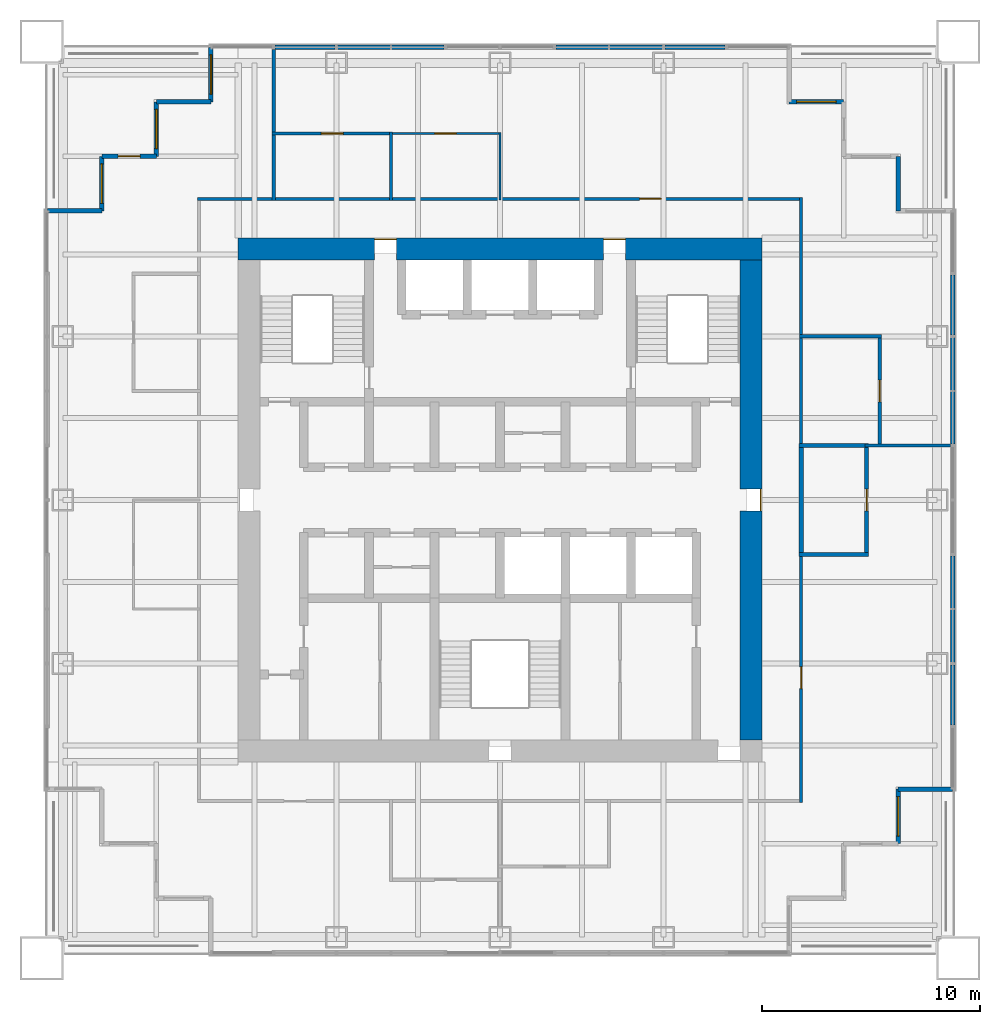
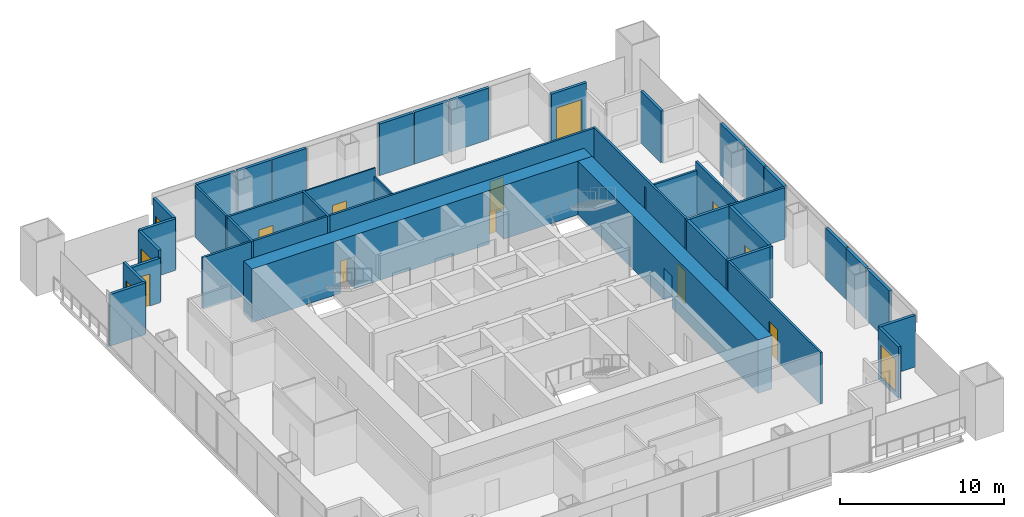
# One storey, part 11 of 14: 39 walls, 10 doors, 5 windows, 15 openings.
"""IFC4 building model written with IfcOpenShell, lengths in metres."""

from ifc_helpers import new_model, si_unit, direction, frame, frame_2d, origin, place, context, subcontext, project, spatial, rectangle, extrude, material, layer, layer_set, type_object, element, fill, save


model = new_model("IFC4")

# Units and contexts
model_context = context("Model", 3, precision=1e-05, world=origin(), true_north=direction((0.0, 1.0)))
body_context = subcontext(model_context, "Body", "Model", "MODEL_VIEW")
ifc_project = project(units=[si_unit("LENGTHUNIT", "METRE"), si_unit("AREAUNIT", "SQUARE_METRE"), si_unit("VOLUMEUNIT", "CUBIC_METRE"), si_unit("PLANEANGLEUNIT", "RADIAN"), si_unit("MASSUNIT", "GRAM", prefix="KILO")], contexts=[model_context])

# Site, building, storey
site_placement = place(None, origin())
site = spatial("IfcSite", under=ifc_project, at=site_placement, CompositionType="ELEMENT")
building_placement = place(site_placement, origin())
building = spatial("IfcBuilding", under=site, at=building_placement, Name="Tarangal Relay Tower", CompositionType="ELEMENT")
storey_placement = place(building_placement, frame((0.0, 0.0, 271.89990234375)))
storey = spatial("IfcBuildingStorey", under=building, at=storey_placement, Name="L59", CompositionType="ELEMENT", Elevation=271.89990234375)

# Walls
ifc_material_1 = material(Name="Two layers gypsum board each side on twin steel studs, mineral wool", Category="steel")
ifc_layer_1 = layer(ifc_material_1, 0.199951171875)
ifc_layer_set_1 = layer_set([ifc_layer_1], Name="Acoustic partition 200")
wall_type_1 = type_object("IfcWallType", Name="Acoustic partition 200", PredefinedType="PARTITIONING", material=ifc_layer_set_1)
for number, where, z_axis, x_axis, name in (
    (1, (13.699951171875, -2.5, 0.0), (0.0, 0.0, 1.0), (1.0, 0.0, 0.0), "Partition PT2 L59"),
    (2, (13.699951171875, 2.5, 0.0), (0.0, 0.0, 1.0), (1.0, 0.0, 0.0), "Partition PT2 L59"),
):
    element("IfcWall", number, at=place(storey_placement, frame(where, z_axis=z_axis, x_axis=x_axis)), inside=storey, type_object=wall_type_1, Name=name, PredefinedType="PARTITIONING", context=body_context, shape_type="SweptSolid", body=[
        extrude(rectangle(XDim=3.199951171875, YDim=0.199951171875, at=frame_2d((1.60009765625, 0.0))), origin(), (0.0, 0.0, 1.0), 3.85009765625),
    ])
wall_1_placement = place(storey_placement, frame((13.800048828125, -2.60009765625, 0.0), z_axis=(0.0, 0.0, 1.0), x_axis=(0.0, 1.0, 0.0)))
element("IfcWall", 3, at=wall_1_placement, inside=storey, type_object=wall_type_1, Name="Partition PT2 L59", PredefinedType="PARTITIONING", context=body_context, shape_type="SweptSolid", body=[
    extrude(rectangle(XDim=5.2001953125, YDim=0.199951171875, at=frame_2d((2.60009765625, 0.0))), origin(), (0.0, 0.0, 1.0), 3.85009765625),
])

# Wall, opening, door
wall_2_placement = place(storey_placement, frame((16.800048828125, -2.60009765625, 0.0), z_axis=(0.0, 0.0, 1.0), x_axis=(0.0, 1.0, 0.0)))
wall_2 = element("IfcWall", 4, at=wall_2_placement, inside=storey, type_object=wall_type_1, Name="Partition PT2 L59", PredefinedType="PARTITIONING", context=body_context, shape_type="SweptSolid", body=[
    extrude(rectangle(XDim=5.2001953125, YDim=0.199951171875, at=frame_2d((2.60009765625, 0.0))), origin(), (0.0, 0.0, 1.0), 3.85009765625),
])
opening_1_placement = place(wall_2_placement, frame((2.10009765625, 0.0, 0.0)))
opening_1 = element("IfcOpeningElement", 5, at=opening_1_placement, cuts=wall_2, Name="Opening D2", PredefinedType="OPENING", context=body_context, shape_type="SweptSolid", body=[
    extrude(rectangle(XDim=1.0, YDim=2.10009765625, at=frame_2d((0.5, 1.050048828125))), frame((0.0, 0.10986328125, 0.0), z_axis=(0.0, -1.0, 0.0), x_axis=(1.0, 0.0, 0.0)), (0.0, 0.0, 1.0), 0.219970703125),
])
ifc_material_2 = material(Name="Hardwood door", Category="wood")
door_type_1 = type_object("IfcDoorType", Name="Door 1000 x 2100", OperationType="SINGLE_SWING_LEFT", PredefinedType="DOOR", material=ifc_material_2)
door_1_placement = place(opening_1_placement, origin())
door_1 = element("IfcDoor", 6, at=door_1_placement, inside=storey, type_object=door_type_1, Name="Door D2 to meeting room L59-05", OperationType="SINGLE_SWING_LEFT", OverallHeight=2.10009765625, OverallWidth=1.0, PredefinedType="DOOR", context=body_context, shape_type="SweptSolid", body=[
    extrude(rectangle(XDim=1.0, YDim=2.10009765625, at=frame_2d((0.5, 1.050048828125))), frame((0.0, 0.02490234375, 0.0), z_axis=(0.0, -1.0, 0.0), x_axis=(1.0, 0.0, 0.0)), (0.0, 0.0, 1.0), 0.050048828125),
])
fill(opening_1, door_1)

# Wall, openings, doors
ifc_material_3 = material(Name="Concrete fc' 60 MPa", Category="concrete")
ifc_layer_2 = layer(ifc_material_3, 1.0)
ifc_layer_set_2 = layer_set([ifc_layer_2], Name="Core wall 1000")
wall_type_2 = type_object("IfcWallType", Name="Core wall 1000", PredefinedType="SHEAR", material=ifc_layer_set_2)
wall_3_placement = place(storey_placement, frame((-12.0, 11.5, 0.0), z_axis=(0.0, 0.0, 1.0), x_axis=(1.0, 0.0, 0.0)))
wall_3 = element("IfcWall", 7, at=wall_3_placement, inside=storey, type_object=wall_type_2, Name="Core wall N L59", PredefinedType="SHEAR", context=body_context, shape_type="SweptSolid", body=[
    extrude(rectangle(XDim=24.0, YDim=1.0, at=frame_2d((12.0, 0.0))), origin(), (0.0, 0.0, 1.0), 4.0),
])
opening_2_placement = place(wall_3_placement, frame((6.25, 0.0, 0.0)))
opening_2 = element("IfcOpeningElement", 8, at=opening_2_placement, cuts=wall_3, Name="Opening FD3", PredefinedType="OPENING", context=body_context, shape_type="SweptSolid", body=[
    extrude(rectangle(XDim=1.0, YDim=2.39990234375, at=frame_2d((0.5, 1.199951171875))), frame((0.0, 0.510009765625, 0.0), z_axis=(0.0, -1.0, 0.0), x_axis=(1.0, 0.0, 0.0)), (0.0, 0.0, 1.0), 1.02001953125),
])
opening_3_placement = place(wall_3_placement, frame((16.75, 0.0, 0.0)))
opening_3 = element("IfcOpeningElement", 9, at=opening_3_placement, cuts=wall_3, Name="Opening FD3", PredefinedType="OPENING", context=body_context, shape_type="SweptSolid", body=[
    extrude(rectangle(XDim=1.0, YDim=2.39990234375, at=frame_2d((0.5, 1.199951171875))), frame((0.0, 0.510009765625, 0.0), z_axis=(0.0, -1.0, 0.0), x_axis=(1.0, 0.0, 0.0)), (0.0, 0.0, 1.0), 1.02001953125),
])
ifc_material_4 = material(Name="Steel door with hardwood frame", Category="steel")
door_type_2 = type_object("IfcDoorType", Name="Fire door 1000 x 2400 core entry", OperationType="SINGLE_SWING_RIGHT", PredefinedType="DOOR", material=ifc_material_4)
door_2_placement = place(opening_2_placement, origin())
door_2 = element("IfcDoor", 10, at=door_2_placement, inside=storey, type_object=door_type_2, Name="Core entry door north west L59", OperationType="SINGLE_SWING_RIGHT", OverallHeight=2.39990234375, OverallWidth=1.0, PredefinedType="DOOR", context=body_context, shape_type="SweptSolid", body=[
    extrude(rectangle(XDim=1.0, YDim=2.39990234375, at=frame_2d((0.5, 1.199951171875))), frame((0.0, 0.48486328125, 0.0), z_axis=(0.0, -1.0, 0.0), x_axis=(1.0, 0.0, 0.0)), (0.0, 0.0, 1.0), 0.050048828125),
])
fill(opening_2, door_2)
door_3_placement = place(opening_3_placement, origin())
door_3 = element("IfcDoor", 11, at=door_3_placement, inside=storey, type_object=door_type_2, Name="Core entry door north east L59", OperationType="SINGLE_SWING_RIGHT", OverallHeight=2.39990234375, OverallWidth=1.0, PredefinedType="DOOR", context=body_context, shape_type="SweptSolid", body=[
    extrude(rectangle(XDim=1.0, YDim=2.39990234375, at=frame_2d((0.5, 1.199951171875))), frame((0.0, 0.48486328125, 0.0), z_axis=(0.0, -1.0, 0.0), x_axis=(1.0, 0.0, 0.0)), (0.0, 0.0, 1.0), 0.050048828125),
])
fill(opening_3, door_3)

# Wall, opening, door
wall_4_placement = place(storey_placement, frame((11.5, 11.0, 0.0), z_axis=(0.0, 0.0, 1.0), x_axis=(0.0, -1.0, 0.0)))
wall_4 = element("IfcWall", 12, at=wall_4_placement, inside=storey, type_object=wall_type_2, Name="Core wall E L59", PredefinedType="SHEAR", context=body_context, shape_type="SweptSolid", body=[
    extrude(rectangle(XDim=22.0, YDim=1.0, at=frame_2d((11.0, 0.0))), origin(), (0.0, 0.0, 1.0), 4.0),
])
opening_4_placement = place(wall_4_placement, frame((10.5, 0.0, 0.0)))
opening_4 = element("IfcOpeningElement", 13, at=opening_4_placement, cuts=wall_4, Name="Opening FD3", PredefinedType="OPENING", context=body_context, shape_type="SweptSolid", body=[
    extrude(rectangle(XDim=1.0, YDim=2.39990234375, at=frame_2d((0.5, 1.199951171875))), frame((0.0, 0.510009765625, 0.0), z_axis=(0.0, -1.0, 0.0), x_axis=(1.0, 0.0, 0.0)), (0.0, 0.0, 1.0), 1.02001953125),
])
door_4_placement = place(opening_4_placement, origin())
door_4 = element("IfcDoor", 14, at=door_4_placement, inside=storey, type_object=door_type_2, Name="Core entry door east L59", OperationType="SINGLE_SWING_RIGHT", OverallHeight=2.39990234375, OverallWidth=1.0, PredefinedType="DOOR", context=body_context, shape_type="SweptSolid", body=[
    extrude(rectangle(XDim=1.0, YDim=2.39990234375, at=frame_2d((0.5, 1.199951171875))), frame((0.0, 0.48486328125, 0.0), z_axis=(0.0, -1.0, 0.0), x_axis=(1.0, 0.0, 0.0)), (0.0, 0.0, 1.0), 0.050048828125),
])
fill(opening_4, door_4)

# Wall, opening, window
ifc_material_5 = material(Name="Black metal clad insulated wall", Category="steel")
ifc_layer_3 = layer(ifc_material_5, 0.199951171875)
ifc_layer_set_3 = layer_set([ifc_layer_3], Name="Corner wall metal clad 200")
wall_type_3 = type_object("IfcWallType", Name="Corner wall metal clad 200", PredefinedType="SOLIDWALL", material=ifc_layer_set_3)
wall_5_placement = place(storey_placement, frame((13.25, 18.25, 0.0), z_axis=(0.0, 0.0, 1.0), x_axis=(1.0, 0.0, 0.0)))
wall_5 = element("IfcWall", 15, at=wall_5_placement, inside=storey, type_object=wall_type_3, Name="Facade wall N facade L59", PredefinedType="SOLIDWALL", context=body_context, shape_type="SweptSolid", body=[
    extrude(rectangle(XDim=2.5, YDim=0.199951171875, at=frame_2d((1.25, 0.0))), origin(), (0.0, 0.0, 1.0), 3.85009765625),
])
opening_5_placement = place(wall_5_placement, frame((0.35009765625, 0.0, 0.300048828125)))
opening_5 = element("IfcOpeningElement", 16, at=opening_5_placement, cuts=wall_5, Name="Opening WN2", PredefinedType="OPENING", context=body_context, shape_type="SweptSolid", body=[
    extrude(rectangle(XDim=1.800048828125, YDim=2.39990234375, at=frame_2d((0.89990234375, 1.199951171875))), frame((0.0, 0.10986328125, 0.0), z_axis=(0.0, -1.0, 0.0), x_axis=(1.0, 0.0, 0.0)), (0.0, 0.0, 1.0), 0.219970703125),
])
ifc_material_6 = material(Name="Dark tinted double glazing in black aluminium frame", Category="aluminium")
window_type = type_object("IfcWindowType", Name="Corner window 1800 x 2400", PartitioningType="SINGLE_PANEL", PredefinedType="WINDOW", material=ifc_material_6)
window_1_placement = place(opening_5_placement, origin())
window_1 = element("IfcWindow", 17, at=window_1_placement, inside=storey, type_object=window_type, Name="Corner window WN2 N facade L59", OverallHeight=2.39990234375, OverallWidth=1.800048828125, PartitioningType="SINGLE_PANEL", PredefinedType="WINDOW", context=body_context, shape_type="SweptSolid", body=[
    extrude(rectangle(XDim=1.800048828125, YDim=2.39990234375, at=frame_2d((0.89990234375, 1.199951171875))), frame((0.0, 0.030029296875, 0.0), z_axis=(0.0, -1.0, 0.0), x_axis=(1.0, 0.0, 0.0)), (0.0, 0.0, 1.0), 0.06005859375),
])
fill(opening_5, window_1)

# Walls
for number, where, z_axis, x_axis, name in (
    (18, (18.25, 15.75, 0.0), (0.0, 0.0, 1.0), (0.0, -1.0, 0.0), "Facade wall N facade L59"),
    (19, (20.75, -13.25, 0.0), (0.0, 0.0, 1.0), (-1.0, 0.0, 0.0), "Facade wall E facade L59"),
):
    element("IfcWall", number, at=place(storey_placement, frame(where, z_axis=z_axis, x_axis=x_axis)), inside=storey, type_object=wall_type_3, Name=name, PredefinedType="SOLIDWALL", context=body_context, shape_type="SweptSolid", body=[
        extrude(rectangle(XDim=2.5, YDim=0.199951171875, at=frame_2d((1.25, 0.0))), origin(), (0.0, 0.0, 1.0), 3.85009765625),
    ])

# Wall, opening, window
wall_6_placement = place(storey_placement, frame((18.25, -13.25, 0.0), z_axis=(0.0, 0.0, 1.0), x_axis=(0.0, -1.0, 0.0)))
wall_6 = element("IfcWall", 20, at=wall_6_placement, inside=storey, type_object=wall_type_3, Name="Facade wall E facade L59", PredefinedType="SOLIDWALL", context=body_context, shape_type="SweptSolid", body=[
    extrude(rectangle(XDim=2.5, YDim=0.199951171875, at=frame_2d((1.25, 0.0))), origin(), (0.0, 0.0, 1.0), 3.85009765625),
])
opening_6_placement = place(wall_6_placement, frame((0.35009765625, 0.0, 0.300048828125)))
opening_6 = element("IfcOpeningElement", 21, at=opening_6_placement, cuts=wall_6, Name="Opening WN2", PredefinedType="OPENING", context=body_context, shape_type="SweptSolid", body=[
    extrude(rectangle(XDim=1.800048828125, YDim=2.39990234375, at=frame_2d((0.89990234375, 1.199951171875))), frame((0.0, 0.10986328125, 0.0), z_axis=(0.0, -1.0, 0.0), x_axis=(1.0, 0.0, 0.0)), (0.0, 0.0, 1.0), 0.219970703125),
])
window_2_placement = place(opening_6_placement, origin())
window_2 = element("IfcWindow", 22, at=window_2_placement, inside=storey, type_object=window_type, Name="Corner window WN2 E facade L59", OverallHeight=2.39990234375, OverallWidth=1.800048828125, PartitioningType="SINGLE_PANEL", PredefinedType="WINDOW", context=body_context, shape_type="SweptSolid", body=[
    extrude(rectangle(XDim=1.800048828125, YDim=2.39990234375, at=frame_2d((0.89990234375, 1.199951171875))), frame((0.0, 0.030029296875, 0.0), z_axis=(0.0, -1.0, 0.0), x_axis=(1.0, 0.0, 0.0)), (0.0, 0.0, 1.0), 0.06005859375),
])
fill(opening_6, window_2)

# Wall
wall_7_placement = place(storey_placement, frame((-20.75, 13.25, 0.0), z_axis=(0.0, 0.0, 1.0), x_axis=(1.0, 0.0, 0.0)))
element("IfcWall", 23, at=wall_7_placement, inside=storey, type_object=wall_type_3, Name="Facade wall W facade L59", PredefinedType="SOLIDWALL", context=body_context, shape_type="SweptSolid", body=[
    extrude(rectangle(XDim=2.5, YDim=0.199951171875, at=frame_2d((1.25, 0.0))), origin(), (0.0, 0.0, 1.0), 3.85009765625),
])

# Wall, opening, window
wall_8_placement = place(storey_placement, frame((-18.25, 13.25, 0.0), z_axis=(0.0, 0.0, 1.0), x_axis=(0.0, 1.0, 0.0)))
wall_8 = element("IfcWall", 24, at=wall_8_placement, inside=storey, type_object=wall_type_3, Name="Facade wall W facade L59", PredefinedType="SOLIDWALL", context=body_context, shape_type="SweptSolid", body=[
    extrude(rectangle(XDim=2.5, YDim=0.199951171875, at=frame_2d((1.25, 0.0))), origin(), (0.0, 0.0, 1.0), 3.85009765625),
])
opening_7_placement = place(wall_8_placement, frame((0.35009765625, 0.0, 0.300048828125)))
opening_7 = element("IfcOpeningElement", 25, at=opening_7_placement, cuts=wall_8, Name="Opening WN2", PredefinedType="OPENING", context=body_context, shape_type="SweptSolid", body=[
    extrude(rectangle(XDim=1.800048828125, YDim=2.39990234375, at=frame_2d((0.89990234375, 1.199951171875))), frame((0.0, 0.10986328125, 0.0), z_axis=(0.0, -1.0, 0.0), x_axis=(1.0, 0.0, 0.0)), (0.0, 0.0, 1.0), 0.219970703125),
])
window_3_placement = place(opening_7_placement, origin())
window_3 = element("IfcWindow", 26, at=window_3_placement, inside=storey, type_object=window_type, Name="Corner window WN2 W facade L59", OverallHeight=2.39990234375, OverallWidth=1.800048828125, PartitioningType="SINGLE_PANEL", PredefinedType="WINDOW", context=body_context, shape_type="SweptSolid", body=[
    extrude(rectangle(XDim=1.800048828125, YDim=2.39990234375, at=frame_2d((0.89990234375, 1.199951171875))), frame((0.0, 0.030029296875, 0.0), z_axis=(0.0, -1.0, 0.0), x_axis=(1.0, 0.0, 0.0)), (0.0, 0.0, 1.0), 0.06005859375),
])
fill(opening_7, window_3)

# Wall, opening, door
wall_9_placement = place(storey_placement, frame((-18.25, 15.75, 0.0), z_axis=(0.0, 0.0, 1.0), x_axis=(1.0, 0.0, 0.0)))
wall_9 = element("IfcWall", 27, at=wall_9_placement, inside=storey, type_object=wall_type_3, Name="Facade wall W facade L59", PredefinedType="SOLIDWALL", context=body_context, shape_type="SweptSolid", body=[
    extrude(rectangle(XDim=2.5, YDim=0.199951171875, at=frame_2d((1.25, 0.0))), origin(), (0.0, 0.0, 1.0), 3.316650390625),
])
opening_8_placement = place(wall_9_placement, frame((0.75, 0.0, 0.0)))
opening_8 = element("IfcOpeningElement", 28, at=opening_8_placement, cuts=wall_9, Name="Opening TD1", PredefinedType="OPENING", context=body_context, shape_type="SweptSolid", body=[
    extrude(rectangle(XDim=1.0, YDim=2.39990234375, at=frame_2d((0.5, 1.199951171875))), frame((0.0, 0.10986328125, 0.0), z_axis=(0.0, -1.0, 0.0), x_axis=(1.0, 0.0, 0.0)), (0.0, 0.0, 1.0), 0.219970703125),
])
ifc_material_7 = material(Name="Aluminium glazed door", Category="aluminium")
door_type_3 = type_object("IfcDoorType", Name="Terrace door 1000 x 2400", OperationType="SINGLE_SWING_RIGHT", PredefinedType="DOOR", material=ifc_material_7)
door_5_placement = place(opening_8_placement, origin())
door_5 = element("IfcDoor", 29, at=door_5_placement, inside=storey, type_object=door_type_3, Name="Terrace door TD1 NW L59", OperationType="SINGLE_SWING_RIGHT", OverallHeight=2.39990234375, OverallWidth=1.0, PredefinedType="DOOR", context=body_context, shape_type="SweptSolid", body=[
    extrude(rectangle(XDim=1.0, YDim=2.39990234375, at=frame_2d((0.5, 1.199951171875))), frame((0.0, 0.02490234375, 0.0), z_axis=(0.0, -1.0, 0.0), x_axis=(1.0, 0.0, 0.0)), (0.0, 0.0, 1.0), 0.050048828125),
])
fill(opening_8, door_5)

# Wall, opening, window
wall_10_placement = place(storey_placement, frame((-15.75, 15.75, 0.0), z_axis=(0.0, 0.0, 1.0), x_axis=(0.0, 1.0, 0.0)))
wall_10 = element("IfcWall", 30, at=wall_10_placement, inside=storey, type_object=wall_type_3, Name="Facade wall W facade L59", PredefinedType="SOLIDWALL", context=body_context, shape_type="SweptSolid", body=[
    extrude(rectangle(XDim=2.5, YDim=0.199951171875, at=frame_2d((1.25, 0.0))), origin(), (0.0, 0.0, 1.0), 3.85009765625),
])
opening_9_placement = place(wall_10_placement, frame((0.35009765625, 0.0, 0.300048828125)))
opening_9 = element("IfcOpeningElement", 31, at=opening_9_placement, cuts=wall_10, Name="Opening WN2", PredefinedType="OPENING", context=body_context, shape_type="SweptSolid", body=[
    extrude(rectangle(XDim=1.800048828125, YDim=2.39990234375, at=frame_2d((0.89990234375, 1.199951171875))), frame((0.0, 0.10986328125, 0.0), z_axis=(0.0, -1.0, 0.0), x_axis=(1.0, 0.0, 0.0)), (0.0, 0.0, 1.0), 0.219970703125),
])
window_4_placement = place(opening_9_placement, origin())
window_4 = element("IfcWindow", 32, at=window_4_placement, inside=storey, type_object=window_type, Name="Corner window WN2 W facade L59", OverallHeight=2.39990234375, OverallWidth=1.800048828125, PartitioningType="SINGLE_PANEL", PredefinedType="WINDOW", context=body_context, shape_type="SweptSolid", body=[
    extrude(rectangle(XDim=1.800048828125, YDim=2.39990234375, at=frame_2d((0.89990234375, 1.199951171875))), frame((0.0, 0.030029296875, 0.0), z_axis=(0.0, -1.0, 0.0), x_axis=(1.0, 0.0, 0.0)), (0.0, 0.0, 1.0), 0.06005859375),
])
fill(opening_9, window_4)

# Wall
wall_11_placement = place(storey_placement, frame((-15.75, 18.25, 0.0), z_axis=(0.0, 0.0, 1.0), x_axis=(1.0, 0.0, 0.0)))
element("IfcWall", 33, at=wall_11_placement, inside=storey, type_object=wall_type_3, Name="Facade wall W facade L59", PredefinedType="SOLIDWALL", context=body_context, shape_type="SweptSolid", body=[
    extrude(rectangle(XDim=2.5, YDim=0.199951171875, at=frame_2d((1.25, 0.0))), origin(), (0.0, 0.0, 1.0), 3.85009765625),
])

# Wall, opening, window
wall_12_placement = place(storey_placement, frame((-13.25, 18.25, 0.0), z_axis=(0.0, 0.0, 1.0), x_axis=(0.0, 1.0, 0.0)))
wall_12 = element("IfcWall", 34, at=wall_12_placement, inside=storey, type_object=wall_type_3, Name="Facade wall W facade L59", PredefinedType="SOLIDWALL", context=body_context, shape_type="SweptSolid", body=[
    extrude(rectangle(XDim=2.5, YDim=0.199951171875, at=frame_2d((1.25, 0.0))), origin(), (0.0, 0.0, 1.0), 3.85009765625),
])
opening_10_placement = place(wall_12_placement, frame((0.35009765625, 0.0, 0.300048828125)))
opening_10 = element("IfcOpeningElement", 35, at=opening_10_placement, cuts=wall_12, Name="Opening WN2", PredefinedType="OPENING", context=body_context, shape_type="SweptSolid", body=[
    extrude(rectangle(XDim=1.800048828125, YDim=2.39990234375, at=frame_2d((0.89990234375, 1.199951171875))), frame((0.0, 0.10986328125, 0.0), z_axis=(0.0, -1.0, 0.0), x_axis=(1.0, 0.0, 0.0)), (0.0, 0.0, 1.0), 0.219970703125),
])
window_5_placement = place(opening_10_placement, origin())
window_5 = element("IfcWindow", 36, at=window_5_placement, inside=storey, type_object=window_type, Name="Corner window WN2 W facade L59", OverallHeight=2.39990234375, OverallWidth=1.800048828125, PartitioningType="SINGLE_PANEL", PredefinedType="WINDOW", context=body_context, shape_type="SweptSolid", body=[
    extrude(rectangle(XDim=1.800048828125, YDim=2.39990234375, at=frame_2d((0.89990234375, 1.199951171875))), frame((0.0, 0.030029296875, 0.0), z_axis=(0.0, -1.0, 0.0), x_axis=(1.0, 0.0, 0.0)), (0.0, 0.0, 1.0), 0.06005859375),
])
fill(opening_10, window_5)

# Walls
ifc_layer_4 = layer(ifc_material_5, 0.199951171875)
ifc_layer_set_4 = layer_set([ifc_layer_4], Name="Facade infill wall metal clad 200")
wall_type_4 = type_object("IfcWallType", Name="Facade infill wall metal clad 200", PredefinedType="SOLIDWALL", material=ifc_layer_set_4)
wall_13_placement = place(storey_placement, frame((-10.31494140625, 20.75, 0.0), z_axis=(0.0, 0.0, 1.0), x_axis=(1.0, 0.0, 0.0)))
element("IfcWall", 37, at=wall_13_placement, inside=storey, type_object=wall_type_4, Name="Facade infill wall N facade L59 1.1", PredefinedType="SOLIDWALL", context=body_context, shape_type="SweptSolid", body=[
    extrude(rectangle(XDim=2.7548828125, YDim=0.199951171875, at=frame_2d((1.37744140625, 0.0))), origin(), (0.0, 0.0, 1.0), 3.85009765625),
])
for number, where, z_axis, x_axis, name in (
    (38, (-7.43994140625, 20.75, 0.0), (0.0, 0.0, 1.0), (1.0, 0.0, 0.0), "Facade infill wall N facade L59 1.1"),
    (39, (-4.969970703125, 20.75, 0.0), (0.0, 0.0, 1.0), (1.0, 0.0, 0.0), "Facade infill wall N facade L59 2.1"),
    (40, (2.56005859375, 20.75, 0.0), (0.0, 0.0, 1.0), (1.0, 0.0, 0.0), "Facade infill wall N facade L59 1.1"),
    (41, (5.030029296875, 20.75, 0.0), (0.0, 0.0, 1.0), (1.0, 0.0, 0.0), "Facade infill wall N facade L59 2.1"),
):
    element("IfcWall", number, at=place(storey_placement, frame(where, z_axis=z_axis, x_axis=x_axis)), inside=storey, type_object=wall_type_4, Name=name, PredefinedType="SOLIDWALL", context=body_context, shape_type="SweptSolid", body=[
        extrude(rectangle(XDim=2.409912109375, YDim=0.199951171875, at=frame_2d((1.205078125, 0.0))), origin(), (0.0, 0.0, 1.0), 3.85009765625),
    ])
for number, where, z_axis, x_axis, name in (
    (42, (7.56005859375, 20.75, 0.0), (0.0, 0.0, 1.0), (1.0, 0.0, 0.0), "Facade infill wall N facade L59 1.1"),
    (43, (20.75, 10.31494140625, 0.0), (0.0, 0.0, 1.0), (0.0, -1.0, 0.0), "Facade infill wall E facade L59 1.1"),
):
    element("IfcWall", number, at=place(storey_placement, frame(where, z_axis=z_axis, x_axis=x_axis)), inside=storey, type_object=wall_type_4, Name=name, PredefinedType="SOLIDWALL", context=body_context, shape_type="SweptSolid", body=[
        extrude(rectangle(XDim=2.7548828125, YDim=0.199951171875, at=frame_2d((1.37744140625, 0.0))), origin(), (0.0, 0.0, 1.0), 3.85009765625),
    ])
for number, where, z_axis, x_axis, name in (
    (44, (20.75, 7.43994140625, 0.0), (0.0, 0.0, 1.0), (0.0, -1.0, 0.0), "Facade infill wall E facade L59 1.1"),
    (45, (20.75, 4.969970703125, 0.0), (0.0, 0.0, 1.0), (0.0, -1.0, 0.0), "Facade infill wall E facade L59 2.1"),
    (46, (20.75, -2.56005859375, 0.0), (0.0, 0.0, 1.0), (0.0, -1.0, 0.0), "Facade infill wall E facade L59 1.1"),
    (47, (20.75, -5.030029296875, 0.0), (0.0, 0.0, 1.0), (0.0, -1.0, 0.0), "Facade infill wall E facade L59 2.1"),
):
    element("IfcWall", number, at=place(storey_placement, frame(where, z_axis=z_axis, x_axis=x_axis)), inside=storey, type_object=wall_type_4, Name=name, PredefinedType="SOLIDWALL", context=body_context, shape_type="SweptSolid", body=[
        extrude(rectangle(XDim=2.409912109375, YDim=0.199951171875, at=frame_2d((1.205078125, 0.0))), origin(), (0.0, 0.0, 1.0), 3.85009765625),
    ])
wall_14_placement = place(storey_placement, frame((20.75, -7.56005859375, 0.0), z_axis=(0.0, 0.0, 1.0), x_axis=(0.0, -1.0, 0.0)))
element("IfcWall", 48, at=wall_14_placement, inside=storey, type_object=wall_type_4, Name="Facade infill wall E facade L59 1.1", PredefinedType="SOLIDWALL", context=body_context, shape_type="SweptSolid", body=[
    extrude(rectangle(XDim=2.7548828125, YDim=0.199951171875, at=frame_2d((1.37744140625, 0.0))), origin(), (0.0, 0.0, 1.0), 3.85009765625),
])

# Wall, opening, door
ifc_material_8 = material(Name="Double glazed aluminium framed partition", Category="aluminium")
ifc_layer_5 = layer(ifc_material_8, 0.10009765625)
ifc_layer_set_5 = layer_set([ifc_layer_5], Name="Glazed partition 100")
wall_type_5 = type_object("IfcWallType", Name="Glazed partition 100", PredefinedType="PARTITIONING", material=ifc_layer_set_5)
wall_15_placement = place(storey_placement, frame((-5.050048828125, 16.800048828125, 0.0), z_axis=(0.0, 0.0, 1.0), x_axis=(1.0, 0.0, 0.0)))
wall_15 = element("IfcWall", 49, at=wall_15_placement, inside=storey, type_object=wall_type_5, Name="Partition PT3 L59", PredefinedType="PARTITIONING", context=body_context, shape_type="SweptSolid", body=[
    extrude(rectangle(XDim=5.10009765625, YDim=0.10009765625, at=frame_2d((2.550048828125, 0.0))), origin(), (0.0, 0.0, 1.0), 3.85009765625),
])
opening_11_placement = place(wall_15_placement, frame((2.050048828125, 0.0, 0.0)))
opening_11 = element("IfcOpeningElement", 50, at=opening_11_placement, cuts=wall_15, Name="Opening D3", PredefinedType="OPENING", context=body_context, shape_type="SweptSolid", body=[
    extrude(rectangle(XDim=1.0, YDim=2.10009765625, at=frame_2d((0.5, 1.050048828125))), frame((0.0, 0.06005859375, 0.0), z_axis=(0.0, -1.0, 0.0), x_axis=(1.0, 0.0, 0.0)), (0.0, 0.0, 1.0), 0.1201171875),
])
ifc_material_9 = material(Name="Frameless glass door", Category="glass")
door_type_4 = type_object("IfcDoorType", Name="Glazed door 1000 x 2100", OperationType="SINGLE_SWING_LEFT", PredefinedType="DOOR", material=ifc_material_9)
door_6_placement = place(opening_11_placement, origin())
door_6 = element("IfcDoor", 51, at=door_6_placement, inside=storey, type_object=door_type_4, Name="Door D3 to meeting room L59-03", OperationType="SINGLE_SWING_LEFT", OverallHeight=2.10009765625, OverallWidth=1.0, PredefinedType="DOOR", context=body_context, shape_type="SweptSolid", body=[
    extrude(rectangle(XDim=1.0, YDim=2.10009765625, at=frame_2d((0.5, 1.050048828125))), frame((0.0, 0.02490234375, 0.0), z_axis=(0.0, -1.0, 0.0), x_axis=(1.0, 0.0, 0.0)), (0.0, 0.0, 1.0), 0.050048828125),
])
fill(opening_11, door_6)

# Walls
wall_16_placement = place(storey_placement, frame((0.0, 13.75, 0.0), z_axis=(0.0, 0.0, 1.0), x_axis=(0.0, 1.0, 0.0)))
element("IfcWall", 52, at=wall_16_placement, inside=storey, type_object=wall_type_5, Name="Partition PT3 L59", PredefinedType="PARTITIONING", context=body_context, shape_type="SweptSolid", body=[
    extrude(rectangle(XDim=3.10009765625, YDim=0.10009765625, at=frame_2d((1.550048828125, 0.0))), origin(), (0.0, 0.0, 1.0), 3.2431640625),
])
ifc_material_10 = material(Name="Gypsum board on steel studs", Category="steel")
ifc_layer_6 = layer(ifc_material_10, 0.14990234375)
ifc_layer_set_6 = layer_set([ifc_layer_6], Name="Partition 150")
wall_type_6 = type_object("IfcWallType", Name="Partition 150", PredefinedType="PARTITIONING", material=ifc_layer_set_6)
wall_17_placement = place(storey_placement, frame((16.72509765625, 2.5, 0.0), z_axis=(0.0, 0.0, 1.0), x_axis=(1.0, 0.0, 0.0)))
element("IfcWall", 53, at=wall_17_placement, inside=storey, type_object=wall_type_6, Name="Partition PT1 L59", PredefinedType="PARTITIONING", context=body_context, shape_type="SweptSolid", body=[
    extrude(rectangle(XDim=3.9248046875, YDim=0.14990234375, at=frame_2d((1.96240234375, 0.0))), origin(), (0.0, 0.0, 1.0), 3.85009765625),
])
wall_18_placement = place(storey_placement, frame((13.72509765625, 7.5, 0.0), z_axis=(0.0, 0.0, 1.0), x_axis=(1.0, 0.0, 0.0)))
element("IfcWall", 54, at=wall_18_placement, inside=storey, type_object=wall_type_6, Name="Partition PT1 L59", PredefinedType="PARTITIONING", context=body_context, shape_type="SweptSolid", body=[
    extrude(rectangle(XDim=3.75, YDim=0.14990234375, at=frame_2d((1.875, 0.0))), origin(), (0.0, 0.0, 1.0), 3.2431640625),
])

# Wall, opening, door
wall_19_placement = place(storey_placement, frame((-13.875, 13.800048828125, 0.0), z_axis=(0.0, 0.0, 1.0), x_axis=(1.0, 0.0, 0.0)))
wall_19 = element("IfcWall", 55, at=wall_19_placement, inside=storey, type_object=wall_type_6, Name="Partition PT1 L59", PredefinedType="PARTITIONING", context=body_context, shape_type="SweptSolid", body=[
    extrude(rectangle(XDim=27.75, YDim=0.14990234375, at=frame_2d((13.875, 0.0))), origin(), (0.0, 0.0, 1.0), 3.85009765625),
])
opening_12_placement = place(wall_19_placement, frame((20.27490234375, 0.0, 0.0)))
opening_12 = element("IfcOpeningElement", 56, at=opening_12_placement, cuts=wall_19, Name="Opening SD1", PredefinedType="OPENING", context=body_context, shape_type="SweptSolid", body=[
    extrude(rectangle(XDim=1.0, YDim=2.39990234375, at=frame_2d((0.5, 1.199951171875))), frame((0.0, 0.0849609375, 0.0), z_axis=(0.0, -1.0, 0.0), x_axis=(1.0, 0.0, 0.0)), (0.0, 0.0, 1.0), 0.169921875),
])
door_type_5 = type_object("IfcDoorType", Name="Suite entrance door 1000 x 2400", OperationType="SINGLE_SWING_RIGHT", PredefinedType="DOOR", material=ifc_material_4)
door_7_placement = place(opening_12_placement, origin())
door_7 = element("IfcDoor", 57, at=door_7_placement, inside=storey, type_object=door_type_5, Name="Door SD1 to open plan office L59-10", OperationType="SINGLE_SWING_RIGHT", OverallHeight=2.39990234375, OverallWidth=1.0, PredefinedType="DOOR", context=body_context, shape_type="SweptSolid", body=[
    extrude(rectangle(XDim=1.0, YDim=2.39990234375, at=frame_2d((0.5, 1.199951171875))), frame((0.0, 0.02490234375, 0.0), z_axis=(0.0, -1.0, 0.0), x_axis=(1.0, 0.0, 0.0)), (0.0, 0.0, 1.0), 0.050048828125),
])
fill(opening_12, door_7)

wall_20_placement = place(storey_placement, frame((-10.449951171875, 16.800048828125, 0.0), z_axis=(0.0, 0.0, 1.0), x_axis=(1.0, 0.0, 0.0)))
wall_20 = element("IfcWall", 58, at=wall_20_placement, inside=storey, type_object=wall_type_6, Name="Partition PT1 L59", PredefinedType="PARTITIONING", context=body_context, shape_type="SweptSolid", body=[
    extrude(rectangle(XDim=5.52490234375, YDim=0.14990234375, at=frame_2d((2.762451171875, 0.0))), origin(), (0.0, 0.0, 1.0), 3.85009765625),
])
opening_13_placement = place(wall_20_placement, frame((2.262451171875, 0.0, 0.0)))
opening_13 = element("IfcOpeningElement", 59, at=opening_13_placement, cuts=wall_20, Name="Opening D2", PredefinedType="OPENING", context=body_context, shape_type="SweptSolid", body=[
    extrude(rectangle(XDim=1.0, YDim=2.10009765625, at=frame_2d((0.5, 1.050048828125))), frame((0.0, 0.0849609375, 0.0), z_axis=(0.0, -1.0, 0.0), x_axis=(1.0, 0.0, 0.0)), (0.0, 0.0, 1.0), 0.169921875),
])
door_8_placement = place(opening_13_placement, origin())
door_8 = element("IfcDoor", 60, at=door_8_placement, inside=storey, type_object=door_type_1, Name="Door D2 to cellular office L59-02", OperationType="SINGLE_SWING_LEFT", OverallHeight=2.10009765625, OverallWidth=1.0, PredefinedType="DOOR", context=body_context, shape_type="SweptSolid", body=[
    extrude(rectangle(XDim=1.0, YDim=2.10009765625, at=frame_2d((0.5, 1.050048828125))), frame((0.0, 0.02490234375, 0.0), z_axis=(0.0, -1.0, 0.0), x_axis=(1.0, 0.0, 0.0)), (0.0, 0.0, 1.0), 0.050048828125),
])
fill(opening_13, door_8)

# Walls
wall_21_placement = place(storey_placement, frame((-10.375, 13.72509765625, 0.0), z_axis=(0.0, 0.0, 1.0), x_axis=(0.0, 1.0, 0.0)))
element("IfcWall", 61, at=wall_21_placement, inside=storey, type_object=wall_type_6, Name="Partition PT1 L59", PredefinedType="PARTITIONING", context=body_context, shape_type="SweptSolid", body=[
    extrude(rectangle(XDim=6.9248046875, YDim=0.14990234375, at=frame_2d((3.46240234375, 0.0))), origin(), (0.0, 0.0, 1.0), 3.85009765625),
])
wall_22_placement = place(storey_placement, frame((-5.0, 13.72509765625, 0.0), z_axis=(0.0, 0.0, 1.0), x_axis=(0.0, 1.0, 0.0)))
element("IfcWall", 62, at=wall_22_placement, inside=storey, type_object=wall_type_6, Name="Partition PT1 L59", PredefinedType="PARTITIONING", context=body_context, shape_type="SweptSolid", body=[
    extrude(rectangle(XDim=3.14990234375, YDim=0.14990234375, at=frame_2d((1.574951171875, 0.0))), origin(), (0.0, 0.0, 1.0), 3.85009765625),
])

# Wall, opening, door
wall_23_placement = place(storey_placement, frame((13.800048828125, -13.875, 0.0), z_axis=(0.0, 0.0, 1.0), x_axis=(0.0, 1.0, 0.0)))
wall_23 = element("IfcWall", 63, at=wall_23_placement, inside=storey, type_object=wall_type_6, Name="Partition PT1 L59", PredefinedType="PARTITIONING", context=body_context, shape_type="SweptSolid", body=[
    extrude(rectangle(XDim=11.449951171875, YDim=0.14990234375, at=frame_2d((5.72509765625, 0.0))), origin(), (0.0, 0.0, 1.0), 3.85009765625),
])
opening_14_placement = place(wall_23_placement, frame((5.22509765625, 0.0, 0.0)))
opening_14 = element("IfcOpeningElement", 64, at=opening_14_placement, cuts=wall_23, Name="Opening SD1", PredefinedType="OPENING", context=body_context, shape_type="SweptSolid", body=[
    extrude(rectangle(XDim=1.0, YDim=2.39990234375, at=frame_2d((0.5, 1.199951171875))), frame((0.0, 0.0849609375, 0.0), z_axis=(0.0, -1.0, 0.0), x_axis=(1.0, 0.0, 0.0)), (0.0, 0.0, 1.0), 0.169921875),
])
door_9_placement = place(opening_14_placement, origin())
door_9 = element("IfcDoor", 65, at=door_9_placement, inside=storey, type_object=door_type_5, Name="Door SD1 to open plan office L59-11", OperationType="SINGLE_SWING_RIGHT", OverallHeight=2.39990234375, OverallWidth=1.0, PredefinedType="DOOR", context=body_context, shape_type="SweptSolid", body=[
    extrude(rectangle(XDim=1.0, YDim=2.39990234375, at=frame_2d((0.5, 1.199951171875))), frame((0.0, 0.02490234375, 0.0), z_axis=(0.0, -1.0, 0.0), x_axis=(1.0, 0.0, 0.0)), (0.0, 0.0, 1.0), 0.050048828125),
])
fill(opening_14, door_9)

# Wall
wall_24_placement = place(storey_placement, frame((13.800048828125, 2.425048828125, 0.0), z_axis=(0.0, 0.0, 1.0), x_axis=(0.0, 1.0, 0.0)))
element("IfcWall", 66, at=wall_24_placement, inside=storey, type_object=wall_type_6, Name="Partition PT1 L59", PredefinedType="PARTITIONING", context=body_context, shape_type="SweptSolid", body=[
    extrude(rectangle(XDim=11.449951171875, YDim=0.14990234375, at=frame_2d((5.72509765625, 0.0))), origin(), (0.0, 0.0, 1.0), 3.85009765625),
])

# Wall, opening, door
wall_25_placement = place(storey_placement, frame((17.39990234375, 2.425048828125, 0.0), z_axis=(0.0, 0.0, 1.0), x_axis=(0.0, 1.0, 0.0)))
wall_25 = element("IfcWall", 67, at=wall_25_placement, inside=storey, type_object=wall_type_6, Name="Partition PT1 L59", PredefinedType="PARTITIONING", context=body_context, shape_type="SweptSolid", body=[
    extrude(rectangle(XDim=5.14990234375, YDim=0.14990234375, at=frame_2d((2.574951171875, 0.0))), origin(), (0.0, 0.0, 1.0), 3.85009765625),
])
opening_15_placement = place(wall_25_placement, frame((2.074951171875, 0.0, 0.0)))
opening_15 = element("IfcOpeningElement", 68, at=opening_15_placement, cuts=wall_25, Name="Opening D2", PredefinedType="OPENING", context=body_context, shape_type="SweptSolid", body=[
    extrude(rectangle(XDim=1.0, YDim=2.10009765625, at=frame_2d((0.5, 1.050048828125))), frame((0.0, 0.0849609375, 0.0), z_axis=(0.0, -1.0, 0.0), x_axis=(1.0, 0.0, 0.0)), (0.0, 0.0, 1.0), 0.169921875),
])
door_10_placement = place(opening_15_placement, origin())
door_10 = element("IfcDoor", 69, at=door_10_placement, inside=storey, type_object=door_type_1, Name="Door D2 to tea pantry L59-04", OperationType="SINGLE_SWING_LEFT", OverallHeight=2.10009765625, OverallWidth=1.0, PredefinedType="DOOR", context=body_context, shape_type="SweptSolid", body=[
    extrude(rectangle(XDim=1.0, YDim=2.10009765625, at=frame_2d((0.5, 1.050048828125))), frame((0.0, 0.02490234375, 0.0), z_axis=(0.0, -1.0, 0.0), x_axis=(1.0, 0.0, 0.0)), (0.0, 0.0, 1.0), 0.050048828125),
])
fill(opening_15, door_10)

save(model, "model.ifc")
